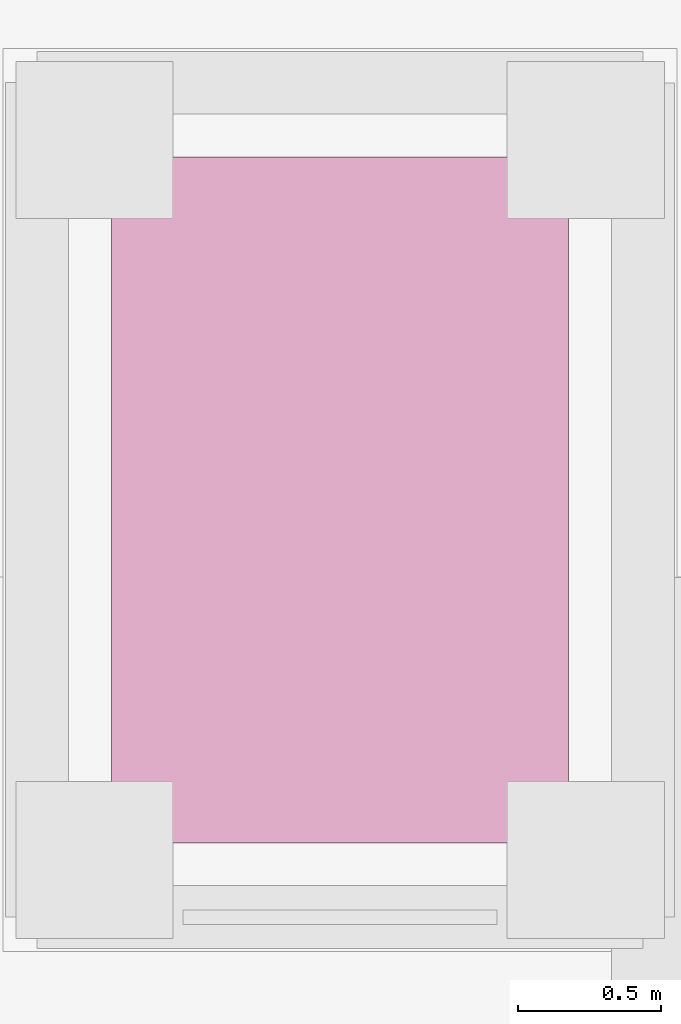
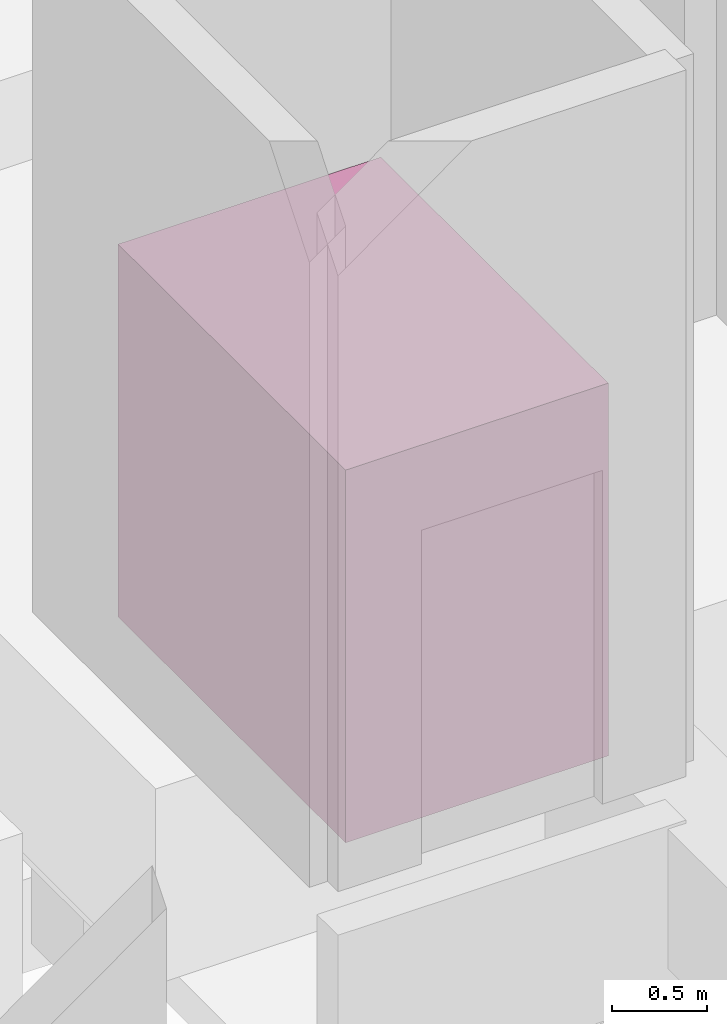
# One storey, part 111 of 111: 1 transport element.
"""IFC4 building model written with IfcOpenShell, lengths in metres."""

from ifc_helpers import new_model, si_unit, direction, frame, origin, origin_2d, place, context, subcontext, project, spatial, rectangle, extrude, material, type_object, element, save


model = new_model("IFC4")

# Units and contexts
model_context = context("Model", 3, precision=1e-05, world=origin(), true_north=direction((0.0, 1.0)))
body_context = subcontext(model_context, "Body", "Model", "MODEL_VIEW")
ifc_project = project(units=[si_unit("LENGTHUNIT", "METRE"), si_unit("AREAUNIT", "SQUARE_METRE"), si_unit("VOLUMEUNIT", "CUBIC_METRE"), si_unit("PLANEANGLEUNIT", "RADIAN"), si_unit("MASSUNIT", "GRAM", prefix="KILO")], contexts=[model_context])

# Site, building, storey
site_placement = place(None, origin())
site = spatial("IfcSite", under=ifc_project, at=site_placement, CompositionType="ELEMENT")
building_placement = place(site_placement, origin())
building = spatial("IfcBuilding", under=site, at=building_placement, Name="Canglan Escarpment Cableway Terminal", CompositionType="ELEMENT")
storey_placement = place(building_placement, frame((0.0, 0.0, 4.800048828125)))
storey = spatial("IfcBuildingStorey", under=building, at=storey_placement, Name="L01", CompositionType="ELEMENT", Elevation=4.800048828125)

# Transport element
ifc_material = material(Name="Brushed stainless steel passenger lift car", Category="steel")
transport_element_type = type_object("IfcTransportElementType", Name="LFT-PASS-1600x2400", PredefinedType="ELEVATOR", material=ifc_material)
transport_element_placement = place(storey_placement, frame((133.199951171875, 22.39990234375, 0.0), z_axis=(0.0, 0.0, 1.0), x_axis=(1.0, 0.0, 0.0)))
element("IfcTransportElement", 1, at=transport_element_placement, inside=storey, type_object=transport_element_type, Name="Passenger elevator LF-06", PredefinedType="ELEVATOR", context=body_context, shape_type="SweptSolid", body=[
    extrude(rectangle(XDim=1.60009765625, YDim=2.39990234375, at=origin_2d()), origin(), (0.0, 0.0, 1.0), 2.39990234375),
])

save(model, "model.ifc")
